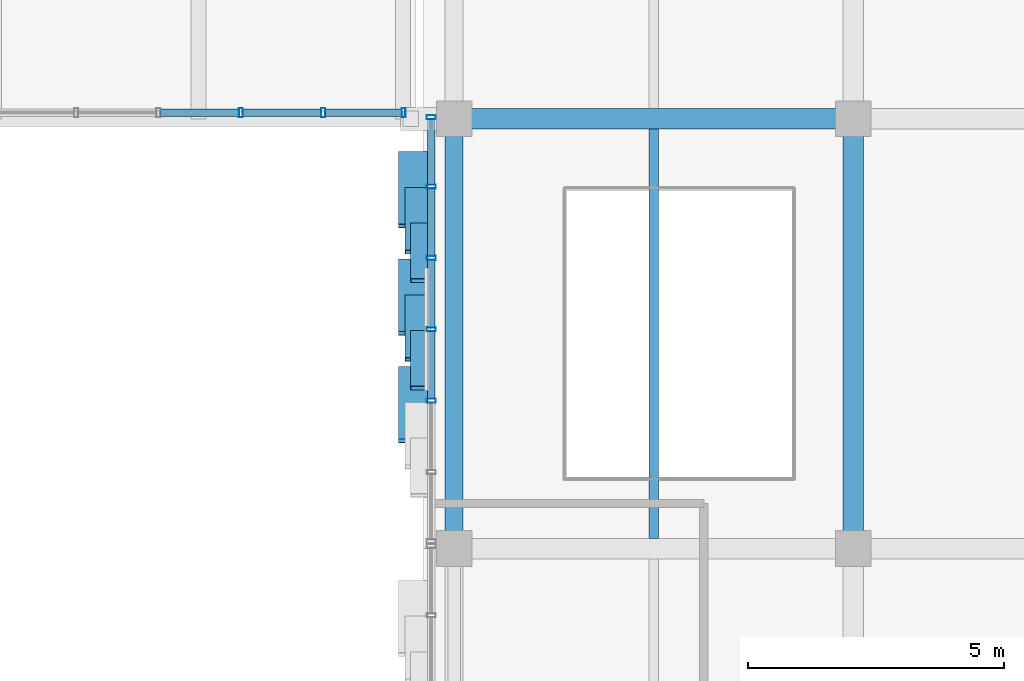
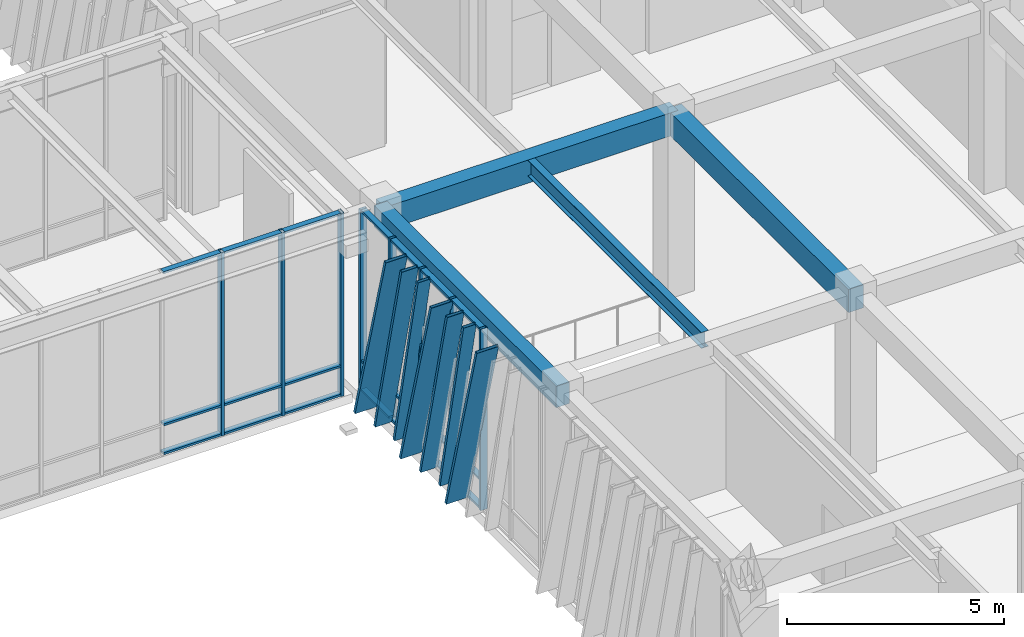
# One storey, part 64 of 139: 36 members, 4 beams, 2 elements without a shape of their own.
"""IFC4 building model written with IfcOpenShell, lengths in metres."""

from ifc_helpers import new_model, si_unit, direction, frame, origin, origin_2d, place, context, subcontext, project, spatial, rectangle, hollow_rectangle, i_section, extrude, material, layer, layer_set, material_profile, profile_set, type_object, element, aggregate, save


model = new_model("IFC4")

# Units and contexts
model_context = context("Model", 3, precision=1e-05, world=origin(), true_north=direction((0.0, 1.0)))
body_context = subcontext(model_context, "Body", "Model", "MODEL_VIEW")
ifc_project = project(units=[si_unit("LENGTHUNIT", "METRE"), si_unit("AREAUNIT", "SQUARE_METRE"), si_unit("VOLUMEUNIT", "CUBIC_METRE"), si_unit("PLANEANGLEUNIT", "RADIAN"), si_unit("MASSUNIT", "GRAM", prefix="KILO")], contexts=[model_context])

# Site, building, storey
site_placement = place(None, origin())
site = spatial("IfcSite", under=ifc_project, at=site_placement, CompositionType="ELEMENT")
building_placement = place(site_placement, origin())
building = spatial("IfcBuilding", under=site, at=building_placement, Name="Zayran Congress Hotel", CompositionType="ELEMENT")
storey_placement = place(building_placement, frame((0.0, 0.0, 5.39990234375)))
storey = spatial("IfcBuildingStorey", under=building, at=storey_placement, Name="L01", CompositionType="ELEMENT", Elevation=5.39990234375)

# Beams
ifc_material_1 = material(Name="Concrete C40/50", Category="concrete")
ifc_material_profile_1 = material_profile(ifc_material_1, rectangle(XDim=0.39990234375, YDim=0.64990234375, at=origin_2d()), Name="RC 400x650")
ifc_profile_set_1 = profile_set([ifc_material_profile_1], Name="Concrete C40/50")
beam_type_1 = type_object("IfcBeamType", Name="TP-BM-03", PredefinedType="BEAM", material=ifc_profile_set_1)
beam_1_placement = place(storey_placement, frame((109.800048828125, 76.0, 4.775146484375), z_axis=(1.0, 0.0, 0.0), x_axis=(0.0, 1.0, 0.0)))
element("IfcBeam", 1, at=beam_1_placement, inside=storey, type_object=beam_type_1, Name="BM-V4-L01-1324", PredefinedType="BEAM", context=body_context, shape_type="SweptSolid", body=[
    extrude(rectangle(XDim=0.39990234375, YDim=0.64990234375, at=origin_2d()), origin(), (0.0, 0.0, 1.0), 7.800048828125),
])
beam_2_placement = place(storey_placement, frame((117.60009765625, 67.60009765625, 4.775146484375), z_axis=(0.0, 1.0, 0.0), x_axis=(-1.0, 0.0, 0.0)))
element("IfcBeam", 2, at=beam_2_placement, inside=storey, type_object=beam_type_1, Name="BM-V4-L01-1354", PredefinedType="BEAM", context=body_context, shape_type="SweptSolid", body=[
    extrude(rectangle(XDim=0.39990234375, YDim=0.64990234375, at=origin_2d()), origin(), (0.0, 0.0, 1.0), 8.39990234375),
])
ifc_material_profile_2 = material_profile(ifc_material_1, rectangle(XDim=0.35009765625, YDim=0.60009765625, at=origin_2d()), Name="RC 350x600")
ifc_profile_set_2 = profile_set([ifc_material_profile_2], Name="Concrete C40/50")
beam_type_2 = type_object("IfcBeamType", Name="TP-SP-01", PredefinedType="SPANDREL", material=ifc_profile_set_2)
beam_3_placement = place(storey_placement, frame((109.800048828125, 67.60009765625, 4.800048828125), z_axis=(0.0, 1.0, 0.0), x_axis=(-1.0, 0.0, 0.0)))
element("IfcBeam", 3, at=beam_3_placement, inside=storey, type_object=beam_type_2, Name="BM-V4-L01-1347", PredefinedType="SPANDREL", context=body_context, shape_type="SweptSolid", body=[
    extrude(rectangle(XDim=0.35009765625, YDim=0.60009765625, at=origin_2d()), origin(), (0.0, 0.0, 1.0), 8.39990234375),
])
ifc_material_2 = material(Name="Steel S355", Category="steel")
ifc_material_profile_3 = material_profile(ifc_material_2, i_section(OverallWidth=0.18994140625, OverallDepth=0.449951171875, WebThickness=0.009521484375, FlangeThickness=0.0146484375, at=origin_2d()), Name="IPE 450")
ifc_profile_set_3 = profile_set([ifc_material_profile_3], Name="Steel S355")
beam_type_3 = type_object("IfcBeamType", Name="TP-JS-02", PredefinedType="JOIST", material=ifc_profile_set_3)
beam_4_placement = place(storey_placement, frame((113.699951171875, 67.800048828125, 4.875), z_axis=(0.0, 1.0, 0.0), x_axis=(-1.0, 0.0, 0.0)))
element("IfcBeam", 4, at=beam_4_placement, inside=storey, type_object=beam_type_3, Name="JST-V4-L01-1385", PredefinedType="JOIST", context=body_context, shape_type="SweptSolid", body=[
    extrude(i_section(OverallWidth=0.18994140625, OverallDepth=0.449951171875, WebThickness=0.009521484375, FlangeThickness=0.0146484375, at=origin_2d()), origin(), (0.0, 0.0, 1.0), 8.0),
])

# Curtain wall, members
ifc_material_3 = material(Name="Anodised aluminium and low-E insulated glass", Category="aluminium")
ifc_layer_1 = layer(ifc_material_3, 0.179931640625)
ifc_layer_set_1 = layer_set([ifc_layer_1], Name="Anodised aluminium and low-E insulated glass")
curtain_wall_type_1 = type_object("IfcCurtainWallType", Name="CW-V4W-L01-CW-51-8371-5100", PredefinedType="USERDEFINED", material=ifc_layer_set_1)
curtain_wall_1_placement = place(storey_placement, origin())
curtain_wall_1 = element("IfcCurtainWall", 5, at=curtain_wall_1_placement, inside=storey, type_object=curtain_wall_type_1, Name="CW-V4W-L01-3", ObjectType="CURTAIN WALL", PredefinedType="USERDEFINED")
ifc_material_4 = material(Name="Anodised aluminium framing", Category="aluminium")
ifc_material_profile_4 = material_profile(ifc_material_4, hollow_rectangle(XDim=0.080078125, YDim=0.179931640625, WallThickness=0.0048828125, at=origin_2d()), Name="RHS 180x80x5")
ifc_profile_set_4 = profile_set([ifc_material_profile_4], Name="Anodised aluminium framing")
member_type_1 = type_object("IfcMemberType", Name="TP-CWM-01", PredefinedType="MULLION", material=ifc_profile_set_4)
member_1_placement = place(storey_placement, frame((109.35009765625, 76.030029296875, 0.0), z_axis=(0.0, 0.0, 1.0), x_axis=(0.0, 1.0, 0.0)))
member_1 = element("IfcMember", 6, at=member_1_placement, type_object=member_type_1, Name="CW-V4W-L01-3-M00", PredefinedType="MULLION", context=body_context, shape_type="SweptSolid", body=[
    extrude(hollow_rectangle(XDim=0.080078125, YDim=0.179931640625, WallThickness=0.0048828125, at=origin_2d()), origin(), (0.0, 0.0, 1.0), 5.10009765625),
])
member_2_placement = place(storey_placement, frame((109.35009765625, 74.6748046875, 0.0), z_axis=(0.0, 0.0, 1.0), x_axis=(0.0, 1.0, 0.0)))
member_2 = element("IfcMember", 7, at=member_2_placement, type_object=member_type_1, Name="CW-V4W-L01-3-M01", PredefinedType="MULLION", context=body_context, shape_type="SweptSolid", body=[
    extrude(hollow_rectangle(XDim=0.080078125, YDim=0.179931640625, WallThickness=0.0048828125, at=origin_2d()), origin(), (0.0, 0.0, 1.0), 5.10009765625),
])
member_3_placement = place(storey_placement, frame((109.35009765625, 73.27978515625, 0.0), z_axis=(0.0, 0.0, 1.0), x_axis=(0.0, 1.0, 0.0)))
member_3 = element("IfcMember", 8, at=member_3_placement, type_object=member_type_1, Name="CW-V4W-L01-3-M02", PredefinedType="MULLION", context=body_context, shape_type="SweptSolid", body=[
    extrude(hollow_rectangle(XDim=0.080078125, YDim=0.179931640625, WallThickness=0.0048828125, at=origin_2d()), origin(), (0.0, 0.0, 1.0), 5.10009765625),
])
member_4_placement = place(storey_placement, frame((109.35009765625, 71.884521484375, 0.0), z_axis=(0.0, 0.0, 1.0), x_axis=(0.0, 1.0, 0.0)))
member_4 = element("IfcMember", 9, at=member_4_placement, type_object=member_type_1, Name="CW-V4W-L01-3-M03", PredefinedType="MULLION", context=body_context, shape_type="SweptSolid", body=[
    extrude(hollow_rectangle(XDim=0.080078125, YDim=0.179931640625, WallThickness=0.0048828125, at=origin_2d()), origin(), (0.0, 0.0, 1.0), 5.10009765625),
])
member_5_placement = place(storey_placement, frame((109.35009765625, 70.4892578125, 0.0), z_axis=(0.0, 0.0, 1.0), x_axis=(0.0, 1.0, 0.0)))
member_5 = element("IfcMember", 10, at=member_5_placement, type_object=member_type_1, Name="CW-V4W-L01-3-M04", PredefinedType="MULLION", context=body_context, shape_type="SweptSolid", body=[
    extrude(hollow_rectangle(XDim=0.080078125, YDim=0.179931640625, WallThickness=0.0048828125, at=origin_2d()), origin(), (0.0, 0.0, 1.0), 5.10009765625),
])

ifc_layer_2 = layer(ifc_material_3, 0.179931640625)
ifc_layer_set_2 = layer_set([ifc_layer_2], Name="Anodised aluminium and low-E insulated glass")
curtain_wall_type_2 = type_object("IfcCurtainWallType", Name="CW-BR1-L01-CW-BR1-16100-5150", PredefinedType="USERDEFINED", material=ifc_layer_set_2)
curtain_wall_2_placement = place(storey_placement, origin())
curtain_wall_2 = element("IfcCurtainWall", 11, at=curtain_wall_2_placement, inside=storey, type_object=curtain_wall_type_2, Name="CW-BR1S-L01", ObjectType="CURTAIN WALL", PredefinedType="USERDEFINED")
member_6_placement = place(storey_placement, frame((105.6298828125, 76.1201171875, 0.0), z_axis=(0.0, 0.0, 1.0), x_axis=(1.0, 0.0, 0.0)))
member_6 = element("IfcMember", 12, at=member_6_placement, type_object=member_type_1, Name="CW-BR1S-L01-M08", PredefinedType="MULLION", context=body_context, shape_type="SweptSolid", body=[
    extrude(hollow_rectangle(XDim=0.080078125, YDim=0.179931640625, WallThickness=0.0048828125, at=origin_2d()), origin(), (0.0, 0.0, 1.0), 5.150146484375),
])
member_7_placement = place(storey_placement, frame((107.239990234375, 76.1201171875, 0.0), z_axis=(0.0, 0.0, 1.0), x_axis=(1.0, 0.0, 0.0)))
member_7 = element("IfcMember", 13, at=member_7_placement, type_object=member_type_1, Name="CW-BR1S-L01-M09", PredefinedType="MULLION", context=body_context, shape_type="SweptSolid", body=[
    extrude(hollow_rectangle(XDim=0.080078125, YDim=0.179931640625, WallThickness=0.0048828125, at=origin_2d()), origin(), (0.0, 0.0, 1.0), 5.150146484375),
])
member_8_placement = place(storey_placement, frame((108.81005859375, 76.1201171875, 0.0), z_axis=(0.0, 0.0, 1.0), x_axis=(1.0, 0.0, 0.0)))
member_8 = element("IfcMember", 14, at=member_8_placement, type_object=member_type_1, Name="CW-BR1S-L01-M10", PredefinedType="MULLION", context=body_context, shape_type="SweptSolid", body=[
    extrude(hollow_rectangle(XDim=0.080078125, YDim=0.179931640625, WallThickness=0.0048828125, at=origin_2d()), origin(), (0.0, 0.0, 1.0), 5.150146484375),
])

# Member
ifc_material_profile_5 = material_profile(ifc_material_4, hollow_rectangle(XDim=0.06005859375, YDim=0.14990234375, WallThickness=0.00390625, at=origin_2d()), Name="RHS 150x60x4")
ifc_profile_set_5 = profile_set([ifc_material_profile_5], Name="Anodised aluminium framing")
member_type_2 = type_object("IfcMemberType", Name="TP-CWT-01", PredefinedType="USERDEFINED", material=ifc_profile_set_5)
member_9_placement = place(storey_placement, frame((109.35009765625, 75.989990234375, 0.030029296875), z_axis=(0.0, -1.0, 0.0), x_axis=(0.0, 0.0, 1.0)))
member_9 = element("IfcMember", 15, at=member_9_placement, type_object=member_type_2, Name="CW-V4W-L01-3-T00-0", ObjectType="TRANSOM", PredefinedType="USERDEFINED", context=body_context, shape_type="SweptSolid", body=[
    extrude(hollow_rectangle(XDim=0.06005859375, YDim=0.14990234375, WallThickness=0.00390625, at=origin_2d()), origin(), (0.0, 0.0, 1.0), 1.275146484375),
])

member_10_placement = place(storey_placement, frame((109.35009765625, 75.989990234375, 0.840087890625), z_axis=(0.0, -1.0, 0.0), x_axis=(0.0, 0.0, 1.0)))
member_10 = element("IfcMember", 16, at=member_10_placement, type_object=member_type_2, Name="CW-V4W-L01-3-T00-1", ObjectType="TRANSOM", PredefinedType="USERDEFINED", context=body_context, shape_type="SweptSolid", body=[
    extrude(hollow_rectangle(XDim=0.06005859375, YDim=0.14990234375, WallThickness=0.00390625, at=origin_2d()), origin(), (0.0, 0.0, 1.0), 1.275146484375),
])

member_11_placement = place(storey_placement, frame((109.35009765625, 75.989990234375, 5.070068359375), z_axis=(0.0, -1.0, 0.0), x_axis=(0.0, 0.0, 1.0)))
member_11 = element("IfcMember", 17, at=member_11_placement, type_object=member_type_2, Name="CW-V4W-L01-3-T00-2", ObjectType="TRANSOM", PredefinedType="USERDEFINED", context=body_context, shape_type="SweptSolid", body=[
    extrude(hollow_rectangle(XDim=0.06005859375, YDim=0.14990234375, WallThickness=0.00390625, at=origin_2d()), origin(), (0.0, 0.0, 1.0), 1.275146484375),
])

member_12_placement = place(storey_placement, frame((109.35009765625, 74.634765625, 0.030029296875), z_axis=(0.0, -1.0, 0.0), x_axis=(0.0, 0.0, 1.0)))
member_12 = element("IfcMember", 18, at=member_12_placement, type_object=member_type_2, Name="CW-V4W-L01-3-T01-0", ObjectType="TRANSOM", PredefinedType="USERDEFINED", context=body_context, shape_type="SweptSolid", body=[
    extrude(hollow_rectangle(XDim=0.06005859375, YDim=0.14990234375, WallThickness=0.00390625, at=origin_2d()), origin(), (0.0, 0.0, 1.0), 1.315185546875),
])

member_13_placement = place(storey_placement, frame((109.35009765625, 74.634765625, 0.840087890625), z_axis=(0.0, -1.0, 0.0), x_axis=(0.0, 0.0, 1.0)))
member_13 = element("IfcMember", 19, at=member_13_placement, type_object=member_type_2, Name="CW-V4W-L01-3-T01-1", ObjectType="TRANSOM", PredefinedType="USERDEFINED", context=body_context, shape_type="SweptSolid", body=[
    extrude(hollow_rectangle(XDim=0.06005859375, YDim=0.14990234375, WallThickness=0.00390625, at=origin_2d()), origin(), (0.0, 0.0, 1.0), 1.315185546875),
])

member_14_placement = place(storey_placement, frame((109.35009765625, 74.634765625, 5.070068359375), z_axis=(0.0, -1.0, 0.0), x_axis=(0.0, 0.0, 1.0)))
member_14 = element("IfcMember", 20, at=member_14_placement, type_object=member_type_2, Name="CW-V4W-L01-3-T01-2", ObjectType="TRANSOM", PredefinedType="USERDEFINED", context=body_context, shape_type="SweptSolid", body=[
    extrude(hollow_rectangle(XDim=0.06005859375, YDim=0.14990234375, WallThickness=0.00390625, at=origin_2d()), origin(), (0.0, 0.0, 1.0), 1.315185546875),
])

member_15_placement = place(storey_placement, frame((109.35009765625, 73.23974609375, 0.030029296875), z_axis=(0.0, -1.0, 0.0), x_axis=(0.0, 0.0, 1.0)))
member_15 = element("IfcMember", 21, at=member_15_placement, type_object=member_type_2, Name="CW-V4W-L01-3-T02-0", ObjectType="TRANSOM", PredefinedType="USERDEFINED", context=body_context, shape_type="SweptSolid", body=[
    extrude(hollow_rectangle(XDim=0.06005859375, YDim=0.14990234375, WallThickness=0.00390625, at=origin_2d()), origin(), (0.0, 0.0, 1.0), 1.315185546875),
])

member_16_placement = place(storey_placement, frame((109.35009765625, 73.23974609375, 0.840087890625), z_axis=(0.0, -1.0, 0.0), x_axis=(0.0, 0.0, 1.0)))
member_16 = element("IfcMember", 22, at=member_16_placement, type_object=member_type_2, Name="CW-V4W-L01-3-T02-1", ObjectType="TRANSOM", PredefinedType="USERDEFINED", context=body_context, shape_type="SweptSolid", body=[
    extrude(hollow_rectangle(XDim=0.06005859375, YDim=0.14990234375, WallThickness=0.00390625, at=origin_2d()), origin(), (0.0, 0.0, 1.0), 1.315185546875),
])

member_17_placement = place(storey_placement, frame((109.35009765625, 73.23974609375, 5.070068359375), z_axis=(0.0, -1.0, 0.0), x_axis=(0.0, 0.0, 1.0)))
member_17 = element("IfcMember", 23, at=member_17_placement, type_object=member_type_2, Name="CW-V4W-L01-3-T02-2", ObjectType="TRANSOM", PredefinedType="USERDEFINED", context=body_context, shape_type="SweptSolid", body=[
    extrude(hollow_rectangle(XDim=0.06005859375, YDim=0.14990234375, WallThickness=0.00390625, at=origin_2d()), origin(), (0.0, 0.0, 1.0), 1.315185546875),
])

member_18_placement = place(storey_placement, frame((109.35009765625, 71.844482421875, 0.030029296875), z_axis=(0.0, -1.0, 0.0), x_axis=(0.0, 0.0, 1.0)))
member_18 = element("IfcMember", 24, at=member_18_placement, type_object=member_type_2, Name="CW-V4W-L01-3-T03-0", ObjectType="TRANSOM", PredefinedType="USERDEFINED", context=body_context, shape_type="SweptSolid", body=[
    extrude(hollow_rectangle(XDim=0.06005859375, YDim=0.14990234375, WallThickness=0.00390625, at=origin_2d()), origin(), (0.0, 0.0, 1.0), 1.315185546875),
])

member_19_placement = place(storey_placement, frame((109.35009765625, 71.844482421875, 0.840087890625), z_axis=(0.0, -1.0, 0.0), x_axis=(0.0, 0.0, 1.0)))
member_19 = element("IfcMember", 25, at=member_19_placement, type_object=member_type_2, Name="CW-V4W-L01-3-T03-1", ObjectType="TRANSOM", PredefinedType="USERDEFINED", context=body_context, shape_type="SweptSolid", body=[
    extrude(hollow_rectangle(XDim=0.06005859375, YDim=0.14990234375, WallThickness=0.00390625, at=origin_2d()), origin(), (0.0, 0.0, 1.0), 1.315185546875),
])

member_20_placement = place(storey_placement, frame((109.35009765625, 71.844482421875, 5.070068359375), z_axis=(0.0, -1.0, 0.0), x_axis=(0.0, 0.0, 1.0)))
member_20 = element("IfcMember", 26, at=member_20_placement, type_object=member_type_2, Name="CW-V4W-L01-3-T03-2", ObjectType="TRANSOM", PredefinedType="USERDEFINED", context=body_context, shape_type="SweptSolid", body=[
    extrude(hollow_rectangle(XDim=0.06005859375, YDim=0.14990234375, WallThickness=0.00390625, at=origin_2d()), origin(), (0.0, 0.0, 1.0), 1.315185546875),
])

member_21_placement = place(storey_placement, frame((104.06005859375, 76.1201171875, 0.030029296875), z_axis=(1.0, 0.0, 0.0), x_axis=(0.0, 0.0, 1.0)))
member_21 = element("IfcMember", 27, at=member_21_placement, type_object=member_type_2, Name="CW-BR1S-L01-T07-0", ObjectType="TRANSOM", PredefinedType="USERDEFINED", context=body_context, shape_type="SweptSolid", body=[
    extrude(hollow_rectangle(XDim=0.06005859375, YDim=0.14990234375, WallThickness=0.00390625, at=origin_2d()), origin(), (0.0, 0.0, 1.0), 1.530029296875),
])

member_22_placement = place(storey_placement, frame((104.06005859375, 76.1201171875, 0.840087890625), z_axis=(1.0, 0.0, 0.0), x_axis=(0.0, 0.0, 1.0)))
member_22 = element("IfcMember", 28, at=member_22_placement, type_object=member_type_2, Name="CW-BR1S-L01-T07-1", ObjectType="TRANSOM", PredefinedType="USERDEFINED", context=body_context, shape_type="SweptSolid", body=[
    extrude(hollow_rectangle(XDim=0.06005859375, YDim=0.14990234375, WallThickness=0.00390625, at=origin_2d()), origin(), (0.0, 0.0, 1.0), 1.530029296875),
])

member_23_placement = place(storey_placement, frame((104.06005859375, 76.1201171875, 5.1201171875), z_axis=(1.0, 0.0, 0.0), x_axis=(0.0, 0.0, 1.0)))
member_23 = element("IfcMember", 29, at=member_23_placement, type_object=member_type_2, Name="CW-BR1S-L01-T07-2", ObjectType="TRANSOM", PredefinedType="USERDEFINED", context=body_context, shape_type="SweptSolid", body=[
    extrude(hollow_rectangle(XDim=0.06005859375, YDim=0.14990234375, WallThickness=0.00390625, at=origin_2d()), origin(), (0.0, 0.0, 1.0), 1.530029296875),
])

member_24_placement = place(storey_placement, frame((105.669921875, 76.1201171875, 0.030029296875), z_axis=(1.0, 0.0, 0.0), x_axis=(0.0, 0.0, 1.0)))
member_24 = element("IfcMember", 30, at=member_24_placement, type_object=member_type_2, Name="CW-BR1S-L01-T08-0", ObjectType="TRANSOM", PredefinedType="USERDEFINED", context=body_context, shape_type="SweptSolid", body=[
    extrude(hollow_rectangle(XDim=0.06005859375, YDim=0.14990234375, WallThickness=0.00390625, at=origin_2d()), origin(), (0.0, 0.0, 1.0), 1.530029296875),
])

member_25_placement = place(storey_placement, frame((105.669921875, 76.1201171875, 0.840087890625), z_axis=(1.0, 0.0, 0.0), x_axis=(0.0, 0.0, 1.0)))
member_25 = element("IfcMember", 31, at=member_25_placement, type_object=member_type_2, Name="CW-BR1S-L01-T08-1", ObjectType="TRANSOM", PredefinedType="USERDEFINED", context=body_context, shape_type="SweptSolid", body=[
    extrude(hollow_rectangle(XDim=0.06005859375, YDim=0.14990234375, WallThickness=0.00390625, at=origin_2d()), origin(), (0.0, 0.0, 1.0), 1.530029296875),
])

member_26_placement = place(storey_placement, frame((105.669921875, 76.1201171875, 5.1201171875), z_axis=(1.0, 0.0, 0.0), x_axis=(0.0, 0.0, 1.0)))
member_26 = element("IfcMember", 32, at=member_26_placement, type_object=member_type_2, Name="CW-BR1S-L01-T08-2", ObjectType="TRANSOM", PredefinedType="USERDEFINED", context=body_context, shape_type="SweptSolid", body=[
    extrude(hollow_rectangle(XDim=0.06005859375, YDim=0.14990234375, WallThickness=0.00390625, at=origin_2d()), origin(), (0.0, 0.0, 1.0), 1.530029296875),
])

member_27_placement = place(storey_placement, frame((107.280029296875, 76.1201171875, 0.030029296875), z_axis=(1.0, 0.0, 0.0), x_axis=(0.0, 0.0, 1.0)))
member_27 = element("IfcMember", 33, at=member_27_placement, type_object=member_type_2, Name="CW-BR1S-L01-T09-0", ObjectType="TRANSOM", PredefinedType="USERDEFINED", context=body_context, shape_type="SweptSolid", body=[
    extrude(hollow_rectangle(XDim=0.06005859375, YDim=0.14990234375, WallThickness=0.00390625, at=origin_2d()), origin(), (0.0, 0.0, 1.0), 1.489990234375),
])

member_28_placement = place(storey_placement, frame((107.280029296875, 76.1201171875, 0.840087890625), z_axis=(1.0, 0.0, 0.0), x_axis=(0.0, 0.0, 1.0)))
member_28 = element("IfcMember", 34, at=member_28_placement, type_object=member_type_2, Name="CW-BR1S-L01-T09-1", ObjectType="TRANSOM", PredefinedType="USERDEFINED", context=body_context, shape_type="SweptSolid", body=[
    extrude(hollow_rectangle(XDim=0.06005859375, YDim=0.14990234375, WallThickness=0.00390625, at=origin_2d()), origin(), (0.0, 0.0, 1.0), 1.489990234375),
])

member_29_placement = place(storey_placement, frame((107.280029296875, 76.1201171875, 5.1201171875), z_axis=(1.0, 0.0, 0.0), x_axis=(0.0, 0.0, 1.0)))
member_29 = element("IfcMember", 35, at=member_29_placement, type_object=member_type_2, Name="CW-BR1S-L01-T09-2", ObjectType="TRANSOM", PredefinedType="USERDEFINED", context=body_context, shape_type="SweptSolid", body=[
    extrude(hollow_rectangle(XDim=0.06005859375, YDim=0.14990234375, WallThickness=0.00390625, at=origin_2d()), origin(), (0.0, 0.0, 1.0), 1.489990234375),
])

aggregate(curtain_wall_2, [member_6, member_7, member_8, member_21, member_22, member_23, member_24, member_25, member_26, member_27, member_28, member_29])

ifc_material_5 = material(Name="Warm bronze anodised aluminium", Category="aluminium")
ifc_material_profile_6 = material_profile(ifc_material_5, hollow_rectangle(XDim=0.080078125, YDim=0.580078125, WallThickness=0.006103515625, at=origin_2d()), Name="RHS 580x80x6")
ifc_profile_set_6 = profile_set([ifc_material_profile_6], Name="Warm bronze anodised aluminium")
member_type_3 = type_object("IfcMemberType", Name="TP-RFN-01", PredefinedType="MULLION", material=ifc_profile_set_6)
member_30_placement = place(storey_placement, frame((109.0, 75.320068359375, 0.0), z_axis=(0.0, -0.267267943227, 0.963622253024), x_axis=(0.0, 0.963622253024, 0.267267943227)))
member_30 = element("IfcMember", 36, at=member_30_placement, type_object=member_type_3, Name="Slanting Reed Mullion CW-51-01", PredefinedType="MULLION", context=body_context, shape_type="SweptSolid", body=[
    extrude(hollow_rectangle(XDim=0.080078125, YDim=0.580078125, WallThickness=0.006103515625, at=origin_2d()), origin(), (0.0, 0.0, 1.0), 5.292724609375),
])

member_31_placement = place(storey_placement, frame((109.0, 73.219970703125, 0.0), z_axis=(0.0, -0.267225109087, 0.963634132372), x_axis=(0.0, 0.963634132372, 0.267225109087)))
member_31 = element("IfcMember", 37, at=member_31_placement, type_object=member_type_3, Name="Slanting Reed Mullion CW-51-04", PredefinedType="MULLION", context=body_context, shape_type="SweptSolid", body=[
    extrude(hollow_rectangle(XDim=0.080078125, YDim=0.580078125, WallThickness=0.006103515625, at=origin_2d()), origin(), (0.0, 0.0, 1.0), 5.29248046875),
])

member_32_placement = place(storey_placement, frame((109.0, 71.1201171875, 0.0), z_axis=(0.0, -0.267267943227, 0.963622253024), x_axis=(0.0, 0.963622253024, 0.267267943227)))
member_32 = element("IfcMember", 38, at=member_32_placement, type_object=member_type_3, Name="Slanting Reed Mullion CW-51-07", PredefinedType="MULLION", context=body_context, shape_type="SweptSolid", body=[
    extrude(hollow_rectangle(XDim=0.080078125, YDim=0.580078125, WallThickness=0.006103515625, at=origin_2d()), origin(), (0.0, 0.0, 1.0), 5.292724609375),
])

ifc_material_profile_7 = material_profile(ifc_material_5, hollow_rectangle(XDim=0.080078125, YDim=0.449951171875, WallThickness=0.006103515625, at=origin_2d()), Name="RHS 450x80x6")
ifc_profile_set_7 = profile_set([ifc_material_profile_7], Name="Warm bronze anodised aluminium")
member_type_4 = type_object("IfcMemberType", Name="TP-RFN-02", PredefinedType="MULLION", material=ifc_profile_set_7)
member_33_placement = place(storey_placement, frame((109.06494140625, 74.6201171875, 0.0), z_axis=(0.0, -0.233478579161, 0.972361945508), x_axis=(0.0, 0.972361945508, 0.233478579161)))
member_33 = element("IfcMember", 39, at=member_33_placement, type_object=member_type_4, Name="Slanting Reed Mullion CW-51-02", PredefinedType="MULLION", context=body_context, shape_type="SweptSolid", body=[
    extrude(hollow_rectangle(XDim=0.080078125, YDim=0.449951171875, WallThickness=0.006103515625, at=origin_2d()), origin(), (0.0, 0.0, 1.0), 5.2451171875),
])

member_34_placement = place(storey_placement, frame((109.06494140625, 72.52001953125, 0.0), z_axis=(0.0, -0.233434569046, 0.972372511939), x_axis=(0.0, 0.972372511939, 0.233434569046)))
member_34 = element("IfcMember", 40, at=member_34_placement, type_object=member_type_4, Name="Slanting Reed Mullion CW-51-05", PredefinedType="MULLION", context=body_context, shape_type="SweptSolid", body=[
    extrude(hollow_rectangle(XDim=0.080078125, YDim=0.449951171875, WallThickness=0.006103515625, at=origin_2d()), origin(), (0.0, 0.0, 1.0), 5.2451171875),
])

ifc_material_profile_8 = material_profile(ifc_material_5, hollow_rectangle(XDim=0.080078125, YDim=0.340087890625, WallThickness=0.006103515625, at=origin_2d()), Name="RHS 340x80x6")
ifc_profile_set_8 = profile_set([ifc_material_profile_8], Name="Warm bronze anodised aluminium")
member_type_5 = type_object("IfcMemberType", Name="TP-RFN-03", PredefinedType="MULLION", material=ifc_profile_set_8)
member_35_placement = place(storey_placement, frame((109.1201171875, 73.919921875, 0.0), z_axis=(0.0, -0.207897956377, 0.978150519979), x_axis=(0.0, 0.978150519979, 0.207897956377)))
member_35 = element("IfcMember", 41, at=member_35_placement, type_object=member_type_5, Name="Slanting Reed Mullion CW-51-03", PredefinedType="MULLION", context=body_context, shape_type="SweptSolid", body=[
    extrude(hollow_rectangle(XDim=0.080078125, YDim=0.340087890625, WallThickness=0.006103515625, at=origin_2d()), origin(), (0.0, 0.0, 1.0), 5.214111328125),
])

member_36_placement = place(storey_placement, frame((109.1201171875, 71.820068359375, 0.0), z_axis=(0.0, -0.207897956377, 0.978150519979), x_axis=(0.0, 0.978150519979, 0.207897956377)))
member_36 = element("IfcMember", 42, at=member_36_placement, type_object=member_type_5, Name="Slanting Reed Mullion CW-51-06", PredefinedType="MULLION", context=body_context, shape_type="SweptSolid", body=[
    extrude(hollow_rectangle(XDim=0.080078125, YDim=0.340087890625, WallThickness=0.006103515625, at=origin_2d()), origin(), (0.0, 0.0, 1.0), 5.214111328125),
])

aggregate(curtain_wall_1, [member_1, member_2, member_3, member_4, member_5, member_9, member_10, member_11, member_12, member_13, member_14, member_15, member_16, member_17, member_18, member_19, member_20, member_30, member_33, member_35, member_31, member_34, member_36, member_32])

save(model, "model.ifc")
